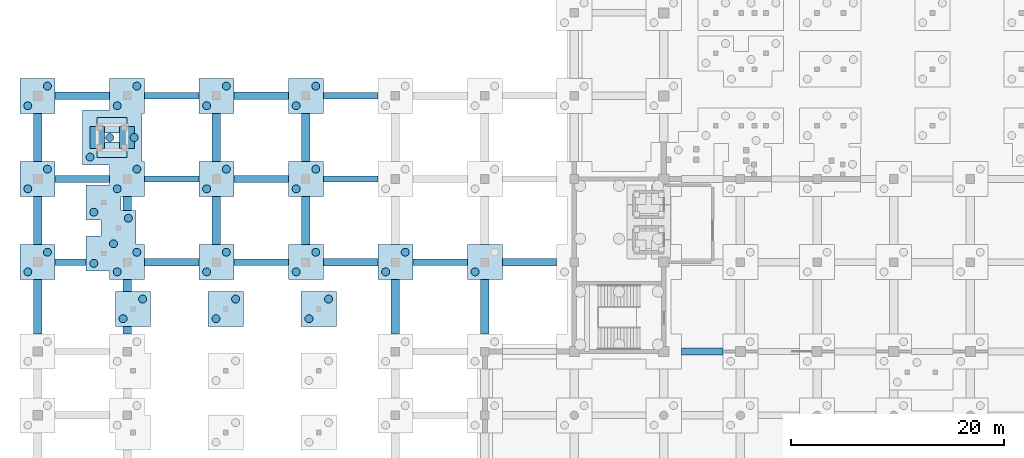
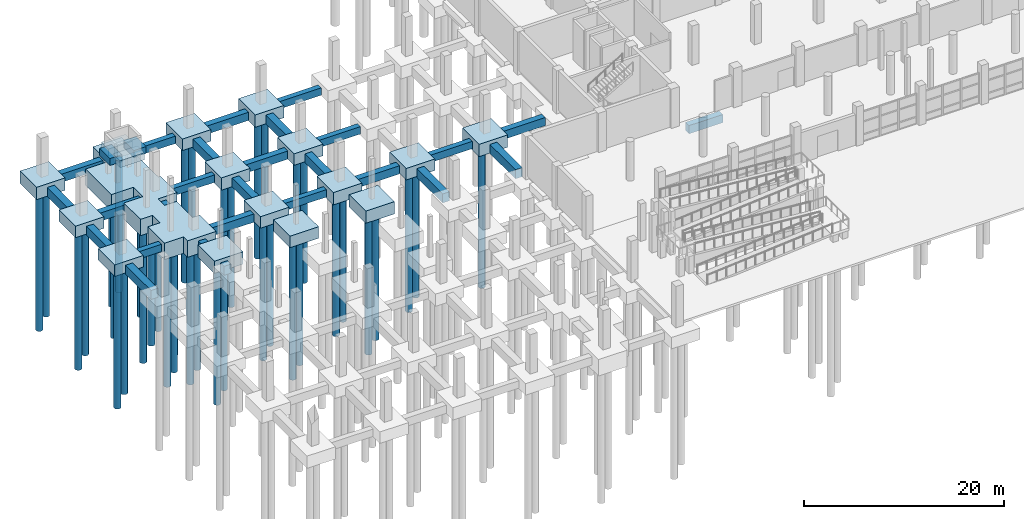
# One storey, part 3 of 42: 46 footings, 40 piles.
"""IFC4 building model written with IfcOpenShell, lengths in metres."""

from ifc_helpers import new_model, si_unit, direction, frame, origin, origin_2d, place, context, subcontext, project, spatial, polyline, rectangle, circle, outline, extrude, material, layer, layer_set, material_profile, profile_set, type_object, element, save


model = new_model("IFC4")

# Units and contexts
model_context = context("Model", 3, precision=1e-05, world=origin(), true_north=direction((0.0, 1.0)))
body_context = subcontext(model_context, "Body", "Model", "MODEL_VIEW")
ifc_project = project(units=[si_unit("LENGTHUNIT", "METRE"), si_unit("AREAUNIT", "SQUARE_METRE"), si_unit("VOLUMEUNIT", "CUBIC_METRE"), si_unit("PLANEANGLEUNIT", "RADIAN"), si_unit("MASSUNIT", "GRAM", prefix="KILO")], contexts=[model_context])

# Site, building, storey
site_placement = place(None, origin())
site = spatial("IfcSite", under=ifc_project, at=site_placement, CompositionType="ELEMENT")
building_placement = place(site_placement, origin())
building = spatial("IfcBuilding", under=site, at=building_placement, Name="Pellamere Symphony Hall", CompositionType="ELEMENT")
storey_placement = place(building_placement, frame((0.0, 0.0, -4.800048828125)))
storey = spatial("IfcBuildingStorey", under=building, at=storey_placement, Name="B1", CompositionType="ELEMENT", Elevation=-4.800048828125)

# Piles
ifc_material_1 = material(Name="Concrete 35 MPa", Category="concrete")
ifc_material_profile_1 = material_profile(ifc_material_1, circle(Radius=0.375, at=origin_2d()), Name="PILE D750")
ifc_profile_set_1 = profile_set([ifc_material_profile_1], Name="Concrete 35 MPa")
pile_type = type_object("IfcPileType", Name="Bored Pile 750mm Concrete 35 MPa", PredefinedType="BORED", material=ifc_profile_set_1)
for number, where, z_axis, x_axis, name in (
    (1, (8.030029296875, 33.080078125, -1.39990234375), (0.0, 0.0, -1.0), (1.0, 0.0, 0.0), "Bored Pile BP-750-P206"),
    (2, (9.8701171875, 34.919921875, -1.39990234375), (0.0, 0.0, -1.0), (1.0, 0.0, 0.0), "Bored Pile BP-750-P207"),
):
    element("IfcPile", number, at=place(storey_placement, frame(where, z_axis=z_axis, x_axis=x_axis)), inside=storey, type_object=pile_type, Name=name, PredefinedType="BORED", context=body_context, shape_type="SweptSolid", body=[
        extrude(circle(Radius=0.375, at=origin_2d()), origin(), (0.0, 0.0, 1.0), 16.60009765625),
    ])
for number, where, z_axis, x_axis, name in (
    (3, (16.7548828125, 33.080078125, -1.300048828125), (0.0, 0.0, -1.0), (1.0, 0.0, 0.0), "Bored Pile BP-750-P208"),
    (4, (18.594970703125, 34.919921875, -1.300048828125), (0.0, 0.0, -1.0), (1.0, 0.0, 0.0), "Bored Pile BP-750-P209"),
):
    element("IfcPile", number, at=place(storey_placement, frame(where, z_axis=z_axis, x_axis=x_axis)), inside=storey, type_object=pile_type, Name=name, PredefinedType="BORED", context=body_context, shape_type="SweptSolid", body=[
        extrude(circle(Radius=0.375, at=origin_2d()), origin(), (0.0, 0.0, 1.0), 16.699951171875),
    ])
for number, where, z_axis, x_axis, name in (
    (5, (25.47998046875, 33.080078125, -1.39990234375), (0.0, 0.0, -1.0), (1.0, 0.0, 0.0), "Bored Pile BP-750-P210"),
    (6, (27.320068359375, 34.919921875, -1.39990234375), (0.0, 0.0, -1.0), (1.0, 0.0, 0.0), "Bored Pile BP-750-P211"),
):
    element("IfcPile", number, at=place(storey_placement, frame(where, z_axis=z_axis, x_axis=x_axis)), inside=storey, type_object=pile_type, Name=name, PredefinedType="BORED", context=body_context, shape_type="SweptSolid", body=[
        extrude(circle(Radius=0.375, at=origin_2d()), origin(), (0.0, 0.0, 1.0), 16.60009765625),
    ])
for number, where, z_axis, x_axis, name in (
    (7, (-0.919921875, 37.47998046875, -1.300048828125), (0.0, 0.0, -1.0), (1.0, 0.0, 0.0), "Bored Pile BP-750-P212"),
    (8, (0.919921875, 39.320068359375, -1.300048828125), (0.0, 0.0, -1.0), (1.0, 0.0, 0.0), "Bored Pile BP-750-P213"),
):
    element("IfcPile", number, at=place(storey_placement, frame(where, z_axis=z_axis, x_axis=x_axis)), inside=storey, type_object=pile_type, Name=name, PredefinedType="BORED", context=body_context, shape_type="SweptSolid", body=[
        extrude(circle(Radius=0.375, at=origin_2d()), origin(), (0.0, 0.0, 1.0), 16.699951171875),
    ])
for number, where, z_axis, x_axis, name in (
    (9, (7.47998046875, 37.47998046875, -1.89990234375), (0.0, 0.0, -1.0), (1.0, 0.0, 0.0), "Bored Pile BP-750-P214"),
    (10, (9.320068359375, 39.320068359375, -1.89990234375), (0.0, 0.0, -1.0), (1.0, 0.0, 0.0), "Bored Pile BP-750-P215"),
    (11, (7.47998046875, 45.280029296875, -1.89990234375), (0.0, 0.0, -1.0), (1.0, 0.0, 0.0), "Bored Pile BP-750-P216"),
    (12, (9.320068359375, 47.1201171875, -1.89990234375), (0.0, 0.0, -1.0), (1.0, 0.0, 0.0), "Bored Pile BP-750-P217"),
    (13, (7.47998046875, 53.080078125, -1.89990234375), (0.0, 0.0, -1.0), (1.0, 0.0, 0.0), "Bored Pile BP-750-P218"),
    (14, (9.320068359375, 54.919921875, -1.89990234375), (0.0, 0.0, -1.0), (1.0, 0.0, 0.0), "Bored Pile BP-750-P219"),
    (15, (5.280029296875, 38.280029296875, -1.89990234375), (0.0, 0.0, -1.0), (1.0, 0.0, 0.0), "Bored Pile BP-750-P220"),
    (16, (7.1201171875, 40.1201171875, -1.89990234375), (0.0, 0.0, -1.0), (1.0, 0.0, 0.0), "Bored Pile BP-750-P221"),
    (17, (5.280029296875, 43.080078125, -1.89990234375), (0.0, 0.0, -1.0), (1.0, 0.0, 0.0), "Bored Pile BP-750-P222"),
    (18, (8.52001953125, 42.52001953125, -1.89990234375), (0.0, 0.0, -1.0), (1.0, 0.0, 0.0), "Bored Pile BP-750-P223"),
    (19, (4.929931640625, 48.2548828125, -1.89990234375), (0.0, 0.0, -1.0), (1.0, 0.0, 0.0), "Bored Pile BP-750-P224"),
    (20, (6.77001953125, 50.094970703125, -1.89990234375), (0.0, 0.0, -1.0), (1.0, 0.0, 0.0), "Bored Pile BP-750-P225"),
    (21, (9.070068359375, 50.094970703125, -1.89990234375), (0.0, 0.0, -1.0), (1.0, 0.0, 0.0), "Bored Pile BP-750-P226"),
):
    element("IfcPile", number, at=place(storey_placement, frame(where, z_axis=z_axis, x_axis=x_axis)), inside=storey, type_object=pile_type, Name=name, PredefinedType="BORED", context=body_context, shape_type="SweptSolid", body=[
        extrude(circle(Radius=0.375, at=origin_2d()), origin(), (0.0, 0.0, 1.0), 16.10009765625),
    ])
for number, where, z_axis, x_axis, name in (
    (22, (15.8798828125, 37.47998046875, -1.300048828125), (0.0, 0.0, -1.0), (1.0, 0.0, 0.0), "Bored Pile BP-750-P227"),
    (23, (17.719970703125, 39.320068359375, -1.300048828125), (0.0, 0.0, -1.0), (1.0, 0.0, 0.0), "Bored Pile BP-750-P228"),
):
    element("IfcPile", number, at=place(storey_placement, frame(where, z_axis=z_axis, x_axis=x_axis)), inside=storey, type_object=pile_type, Name=name, PredefinedType="BORED", context=body_context, shape_type="SweptSolid", body=[
        extrude(circle(Radius=0.375, at=origin_2d()), origin(), (0.0, 0.0, 1.0), 16.699951171875),
    ])
for number, where, z_axis, x_axis, name in (
    (24, (24.280029296875, 37.47998046875, -1.39990234375), (0.0, 0.0, -1.0), (1.0, 0.0, 0.0), "Bored Pile BP-750-P229"),
    (25, (26.1201171875, 39.320068359375, -1.39990234375), (0.0, 0.0, -1.0), (1.0, 0.0, 0.0), "Bored Pile BP-750-P230"),
):
    element("IfcPile", number, at=place(storey_placement, frame(where, z_axis=z_axis, x_axis=x_axis)), inside=storey, type_object=pile_type, Name=name, PredefinedType="BORED", context=body_context, shape_type="SweptSolid", body=[
        extrude(circle(Radius=0.375, at=origin_2d()), origin(), (0.0, 0.0, 1.0), 16.60009765625),
    ])
for number, where, z_axis, x_axis, name in (
    (26, (32.679931640625, 37.47998046875, -1.300048828125), (0.0, 0.0, -1.0), (1.0, 0.0, 0.0), "Bored Pile BP-750-P231"),
    (27, (34.52001953125, 39.320068359375, -1.300048828125), (0.0, 0.0, -1.0), (1.0, 0.0, 0.0), "Bored Pile BP-750-P232"),
):
    element("IfcPile", number, at=place(storey_placement, frame(where, z_axis=z_axis, x_axis=x_axis)), inside=storey, type_object=pile_type, Name=name, PredefinedType="BORED", context=body_context, shape_type="SweptSolid", body=[
        extrude(circle(Radius=0.375, at=origin_2d()), origin(), (0.0, 0.0, 1.0), 16.699951171875),
    ])
pile_placement = place(storey_placement, frame((41.080078125, 37.47998046875, -1.39990234375), z_axis=(0.0, 0.0, -1.0), x_axis=(1.0, 0.0, 0.0)))
element("IfcPile", 28, at=pile_placement, inside=storey, type_object=pile_type, Name="Bored Pile BP-750-P233", PredefinedType="BORED", context=body_context, shape_type="SweptSolid", body=[
    extrude(circle(Radius=0.375, at=origin_2d()), origin(), (0.0, 0.0, 1.0), 16.60009765625),
])
for number, where, z_axis, x_axis, name in (
    (29, (-0.919921875, 45.280029296875, -1.300048828125), (0.0, 0.0, -1.0), (1.0, 0.0, 0.0), "Bored Pile BP-750-P279"),
    (30, (0.919921875, 47.1201171875, -1.300048828125), (0.0, 0.0, -1.0), (1.0, 0.0, 0.0), "Bored Pile BP-750-P280"),
):
    element("IfcPile", number, at=place(storey_placement, frame(where, z_axis=z_axis, x_axis=x_axis)), inside=storey, type_object=pile_type, Name=name, PredefinedType="BORED", context=body_context, shape_type="SweptSolid", body=[
        extrude(circle(Radius=0.375, at=origin_2d()), origin(), (0.0, 0.0, 1.0), 16.699951171875),
    ])
for number, where, z_axis, x_axis, name in (
    (31, (15.8798828125, 45.280029296875, -1.39990234375), (0.0, 0.0, -1.0), (1.0, 0.0, 0.0), "Bored Pile BP-750-P281"),
    (32, (17.719970703125, 47.1201171875, -1.39990234375), (0.0, 0.0, -1.0), (1.0, 0.0, 0.0), "Bored Pile BP-750-P282"),
):
    element("IfcPile", number, at=place(storey_placement, frame(where, z_axis=z_axis, x_axis=x_axis)), inside=storey, type_object=pile_type, Name=name, PredefinedType="BORED", context=body_context, shape_type="SweptSolid", body=[
        extrude(circle(Radius=0.375, at=origin_2d()), origin(), (0.0, 0.0, 1.0), 16.60009765625),
    ])
for number, where, z_axis, x_axis, name in (
    (33, (24.280029296875, 45.280029296875, -1.300048828125), (0.0, 0.0, -1.0), (1.0, 0.0, 0.0), "Bored Pile BP-750-P283"),
    (34, (26.1201171875, 47.1201171875, -1.300048828125), (0.0, 0.0, -1.0), (1.0, 0.0, 0.0), "Bored Pile BP-750-P284"),
):
    element("IfcPile", number, at=place(storey_placement, frame(where, z_axis=z_axis, x_axis=x_axis)), inside=storey, type_object=pile_type, Name=name, PredefinedType="BORED", context=body_context, shape_type="SweptSolid", body=[
        extrude(circle(Radius=0.375, at=origin_2d()), origin(), (0.0, 0.0, 1.0), 16.699951171875),
    ])
for number, where, z_axis, x_axis, name in (
    (35, (-0.919921875, 53.080078125, -1.39990234375), (0.0, 0.0, -1.0), (1.0, 0.0, 0.0), "Bored Pile BP-750-P319"),
    (36, (0.919921875, 54.919921875, -1.39990234375), (0.0, 0.0, -1.0), (1.0, 0.0, 0.0), "Bored Pile BP-750-P320"),
):
    element("IfcPile", number, at=place(storey_placement, frame(where, z_axis=z_axis, x_axis=x_axis)), inside=storey, type_object=pile_type, Name=name, PredefinedType="BORED", context=body_context, shape_type="SweptSolid", body=[
        extrude(circle(Radius=0.375, at=origin_2d()), origin(), (0.0, 0.0, 1.0), 16.60009765625),
    ])
for number, where, z_axis, x_axis, name in (
    (37, (15.8798828125, 53.080078125, -1.300048828125), (0.0, 0.0, -1.0), (1.0, 0.0, 0.0), "Bored Pile BP-750-P321"),
    (38, (17.719970703125, 54.919921875, -1.300048828125), (0.0, 0.0, -1.0), (1.0, 0.0, 0.0), "Bored Pile BP-750-P322"),
):
    element("IfcPile", number, at=place(storey_placement, frame(where, z_axis=z_axis, x_axis=x_axis)), inside=storey, type_object=pile_type, Name=name, PredefinedType="BORED", context=body_context, shape_type="SweptSolid", body=[
        extrude(circle(Radius=0.375, at=origin_2d()), origin(), (0.0, 0.0, 1.0), 16.699951171875),
    ])
for number, where, z_axis, x_axis, name in (
    (39, (24.280029296875, 53.080078125, -1.39990234375), (0.0, 0.0, -1.0), (1.0, 0.0, 0.0), "Bored Pile BP-750-P323"),
    (40, (26.1201171875, 54.919921875, -1.39990234375), (0.0, 0.0, -1.0), (1.0, 0.0, 0.0), "Bored Pile BP-750-P324"),
):
    element("IfcPile", number, at=place(storey_placement, frame(where, z_axis=z_axis, x_axis=x_axis)), inside=storey, type_object=pile_type, Name=name, PredefinedType="BORED", context=body_context, shape_type="SweptSolid", body=[
        extrude(circle(Radius=0.375, at=origin_2d()), origin(), (0.0, 0.0, 1.0), 16.60009765625),
    ])

# Footings
ifc_material_2 = material(Name="Concrete 40 MPa", Category="concrete")
ifc_material_profile_2 = material_profile(ifc_material_2, rectangle(XDim=0.60009765625, YDim=0.89990234375, at=origin_2d()), Name="RC 600x900")
ifc_profile_set_2 = profile_set([ifc_material_profile_2], Name="Concrete 40 MPa")
footing_type_1 = type_object("IfcFootingType", Name="Foundation FB-01 600x900", PredefinedType="FOOTING_BEAM", material=ifc_profile_set_2)
footing_1_placement = place(storey_placement, frame((1.652099609375, 38.39990234375, -0.89990234375), z_axis=(1.0, 0.0, 0.0), x_axis=(0.0, 1.0, 0.0)))
element("IfcFooting", 41, at=footing_1_placement, inside=storey, type_object=footing_type_1, Name="Foundation Beam FB-01-120", PredefinedType="FOOTING_BEAM", context=body_context, shape_type="SweptSolid", body=[
    extrude(rectangle(XDim=0.60009765625, YDim=0.89990234375, at=origin_2d()), origin(), (0.0, 0.0, 1.0), 2.89599609375),
])
footing_2_placement = place(storey_placement, frame((18.451904296875, 38.39990234375, -0.89990234375), z_axis=(1.0, 0.0, 0.0), x_axis=(0.0, 1.0, 0.0)))
element("IfcFooting", 42, at=footing_2_placement, inside=storey, type_object=footing_type_1, Name="Foundation Beam FB-01-122", PredefinedType="FOOTING_BEAM", context=body_context, shape_type="SweptSolid", body=[
    extrude(rectangle(XDim=0.60009765625, YDim=0.89990234375, at=origin_2d()), origin(), (0.0, 0.0, 1.0), 5.09619140625),
])
for number, where, z_axis, x_axis, name in (
    (43, (35.251953125, 38.39990234375, -0.89990234375), (1.0, 0.0, 0.0), (0.0, 1.0, 0.0), "Foundation Beam FB-01-124"),
    (44, (10.052001953125, 46.199951171875, -0.89990234375), (1.0, 0.0, 0.0), (0.0, 1.0, 0.0), "Foundation Beam FB-01-138"),
    (45, (26.85205078125, 46.199951171875, -0.89990234375), (1.0, 0.0, 0.0), (0.0, 1.0, 0.0), "Foundation Beam FB-01-140"),
    (46, (10.052001953125, 54.0, -0.89990234375), (1.0, 0.0, 0.0), (0.0, 1.0, 0.0), "Foundation Beam FB-01-156"),
    (47, (26.85205078125, 54.0, -0.89990234375), (1.0, 0.0, 0.0), (0.0, 1.0, 0.0), "Foundation Beam FB-01-158"),
):
    element("IfcFooting", number, at=place(storey_placement, frame(where, z_axis=z_axis, x_axis=x_axis)), inside=storey, type_object=footing_type_1, Name=name, PredefinedType="FOOTING_BEAM", context=body_context, shape_type="SweptSolid", body=[
        extrude(rectangle(XDim=0.60009765625, YDim=0.89990234375, at=origin_2d()), origin(), (0.0, 0.0, 1.0), 5.095947265625),
    ])
ifc_material_profile_3 = material_profile(ifc_material_2, rectangle(XDim=0.699951171875, YDim=1.0, at=origin_2d()), Name="RC 700x1000")
ifc_profile_set_3 = profile_set([ifc_material_profile_3], Name="Concrete 40 MPa")
footing_type_2 = type_object("IfcFootingType", Name="Foundation FB-02 700x1000", PredefinedType="FOOTING_BEAM", material=ifc_profile_set_3)
footing_3_placement = place(storey_placement, frame((60.451904296875, 30.0, -0.949951171875), z_axis=(1.0, 0.0, 0.0), x_axis=(0.0, 1.0, 0.0)))
element("IfcFooting", 48, at=footing_3_placement, inside=storey, type_object=footing_type_2, Name="Foundation Beam FB-02-107", PredefinedType="FOOTING_BEAM", context=body_context, shape_type="SweptSolid", body=[
    extrude(rectangle(XDim=0.699951171875, YDim=1.0, at=origin_2d()), origin(), (0.0, 0.0, 1.0), 3.89599609375),
])
for number, where, z_axis, x_axis, name in (
    (49, (10.052001953125, 38.39990234375, -0.949951171875), (1.0, 0.0, 0.0), (0.0, 1.0, 0.0), "Foundation Beam FB-02-121"),
    (50, (26.85205078125, 38.39990234375, -0.949951171875), (1.0, 0.0, 0.0), (0.0, 1.0, 0.0), "Foundation Beam FB-02-123"),
    (51, (43.652099609375, 38.39990234375, -0.949951171875), (1.0, 0.0, 0.0), (0.0, 1.0, 0.0), "Foundation Beam FB-02-125"),
    (52, (1.652099609375, 46.199951171875, -0.949951171875), (1.0, 0.0, 0.0), (0.0, 1.0, 0.0), "Foundation Beam FB-02-137"),
):
    element("IfcFooting", number, at=place(storey_placement, frame(where, z_axis=z_axis, x_axis=x_axis)), inside=storey, type_object=footing_type_2, Name=name, PredefinedType="FOOTING_BEAM", context=body_context, shape_type="SweptSolid", body=[
        extrude(rectangle(XDim=0.699951171875, YDim=1.0, at=origin_2d()), origin(), (0.0, 0.0, 1.0), 5.095947265625),
    ])
footing_4_placement = place(storey_placement, frame((18.451904296875, 46.199951171875, -0.949951171875), z_axis=(1.0, 0.0, 0.0), x_axis=(0.0, 1.0, 0.0)))
element("IfcFooting", 53, at=footing_4_placement, inside=storey, type_object=footing_type_2, Name="Foundation Beam FB-02-139", PredefinedType="FOOTING_BEAM", context=body_context, shape_type="SweptSolid", body=[
    extrude(rectangle(XDim=0.699951171875, YDim=1.0, at=origin_2d()), origin(), (0.0, 0.0, 1.0), 5.09619140625),
])
footing_5_placement = place(storey_placement, frame((1.652099609375, 54.0, -0.949951171875), z_axis=(1.0, 0.0, 0.0), x_axis=(0.0, 1.0, 0.0)))
element("IfcFooting", 54, at=footing_5_placement, inside=storey, type_object=footing_type_2, Name="Foundation Beam FB-02-155", PredefinedType="FOOTING_BEAM", context=body_context, shape_type="SweptSolid", body=[
    extrude(rectangle(XDim=0.699951171875, YDim=1.0, at=origin_2d()), origin(), (0.0, 0.0, 1.0), 5.095947265625),
])
footing_6_placement = place(storey_placement, frame((18.451904296875, 54.0, -0.949951171875), z_axis=(1.0, 0.0, 0.0), x_axis=(0.0, 1.0, 0.0)))
element("IfcFooting", 55, at=footing_6_placement, inside=storey, type_object=footing_type_2, Name="Foundation Beam FB-02-157", PredefinedType="FOOTING_BEAM", context=body_context, shape_type="SweptSolid", body=[
    extrude(rectangle(XDim=0.699951171875, YDim=1.0, at=origin_2d()), origin(), (0.0, 0.0, 1.0), 5.09619140625),
])
ifc_material_profile_4 = material_profile(ifc_material_2, rectangle(XDim=0.800048828125, YDim=1.10009765625, at=origin_2d()), Name="RC 800x1100")
ifc_profile_set_4 = profile_set([ifc_material_profile_4], Name="Concrete 40 MPa")
footing_type_3 = type_object("IfcFootingType", Name="Foundation FB-03 800x1100", PredefinedType="FOOTING_BEAM", material=ifc_profile_set_4)
footing_7_placement = place(storey_placement, frame((0.0, 31.652099609375, -1.0), z_axis=(0.0, 1.0, 0.0), x_axis=(-1.0, 0.0, 0.0)))
element("IfcFooting", 56, at=footing_7_placement, inside=storey, type_object=footing_type_3, Name="Foundation Beam FB-03-234", PredefinedType="FOOTING_BEAM", context=body_context, shape_type="SweptSolid", body=[
    extrude(rectangle(XDim=0.800048828125, YDim=1.10009765625, at=origin_2d()), origin(), (0.0, 0.0, 1.0), 5.095947265625),
])
footing_8_placement = place(storey_placement, frame((0.0, 40.052001953125, -1.0), z_axis=(0.0, 1.0, 0.0), x_axis=(-1.0, 0.0, 0.0)))
element("IfcFooting", 57, at=footing_8_placement, inside=storey, type_object=footing_type_3, Name="Foundation Beam FB-03-235", PredefinedType="FOOTING_BEAM", context=body_context, shape_type="SweptSolid", body=[
    extrude(rectangle(XDim=0.800048828125, YDim=1.10009765625, at=origin_2d()), origin(), (0.0, 0.0, 1.0), 4.49609375),
])
footing_9_placement = place(storey_placement, frame((0.0, 47.85205078125, -1.0), z_axis=(0.0, 1.0, 0.0), x_axis=(-1.0, 0.0, 0.0)))
element("IfcFooting", 58, at=footing_9_placement, inside=storey, type_object=footing_type_3, Name="Foundation Beam FB-03-236", PredefinedType="FOOTING_BEAM", context=body_context, shape_type="SweptSolid", body=[
    extrude(rectangle(XDim=0.800048828125, YDim=1.10009765625, at=origin_2d()), origin(), (0.0, 0.0, 1.0), 4.495849609375),
])
footing_10_placement = place(storey_placement, frame((8.39990234375, 31.652099609375, -1.0), z_axis=(0.0, 1.0, 0.0), x_axis=(-1.0, 0.0, 0.0)))
element("IfcFooting", 59, at=footing_10_placement, inside=storey, type_object=footing_type_3, Name="Foundation Beam FB-03-241", PredefinedType="FOOTING_BEAM", context=body_context, shape_type="SweptSolid", body=[
    extrude(rectangle(XDim=0.800048828125, YDim=1.10009765625, at=origin_2d()), origin(), (0.0, 0.0, 1.0), 0.69580078125),
])
footing_11_placement = place(storey_placement, frame((8.39990234375, 35.652099609375, -1.0), z_axis=(0.0, 1.0, 0.0), x_axis=(-1.0, 0.0, 0.0)))
element("IfcFooting", 60, at=footing_11_placement, inside=storey, type_object=footing_type_3, Name="Foundation Beam FB-03-242", PredefinedType="FOOTING_BEAM", context=body_context, shape_type="SweptSolid", body=[
    extrude(rectangle(XDim=0.800048828125, YDim=1.10009765625, at=origin_2d()), origin(), (0.0, 0.0, 1.0), 1.095947265625),
])
footing_12_placement = place(storey_placement, frame((8.39990234375, 43.251953125, -1.0), z_axis=(0.0, 1.0, 0.0), x_axis=(-1.0, 0.0, 0.0)))
element("IfcFooting", 61, at=footing_12_placement, inside=storey, type_object=footing_type_3, Name="Foundation Beam FB-03-243", PredefinedType="FOOTING_BEAM", context=body_context, shape_type="SweptSolid", body=[
    extrude(rectangle(XDim=0.800048828125, YDim=1.10009765625, at=origin_2d()), origin(), (0.0, 0.0, 1.0), 1.296142578125),
])
footing_13_placement = place(storey_placement, frame((16.800048828125, 40.052001953125, -1.0), z_axis=(0.0, 1.0, 0.0), x_axis=(-1.0, 0.0, 0.0)))
element("IfcFooting", 62, at=footing_13_placement, inside=storey, type_object=footing_type_3, Name="Foundation Beam FB-03-246", PredefinedType="FOOTING_BEAM", context=body_context, shape_type="SweptSolid", body=[
    extrude(rectangle(XDim=0.800048828125, YDim=1.10009765625, at=origin_2d()), origin(), (0.0, 0.0, 1.0), 4.49609375),
])
footing_14_placement = place(storey_placement, frame((16.800048828125, 47.85205078125, -1.0), z_axis=(0.0, 1.0, 0.0), x_axis=(-1.0, 0.0, 0.0)))
element("IfcFooting", 63, at=footing_14_placement, inside=storey, type_object=footing_type_3, Name="Foundation Beam FB-03-247", PredefinedType="FOOTING_BEAM", context=body_context, shape_type="SweptSolid", body=[
    extrude(rectangle(XDim=0.800048828125, YDim=1.10009765625, at=origin_2d()), origin(), (0.0, 0.0, 1.0), 4.495849609375),
])
footing_15_placement = place(storey_placement, frame((25.199951171875, 40.052001953125, -1.0), z_axis=(0.0, 1.0, 0.0), x_axis=(-1.0, 0.0, 0.0)))
element("IfcFooting", 64, at=footing_15_placement, inside=storey, type_object=footing_type_3, Name="Foundation Beam FB-03-250", PredefinedType="FOOTING_BEAM", context=body_context, shape_type="SweptSolid", body=[
    extrude(rectangle(XDim=0.800048828125, YDim=1.10009765625, at=origin_2d()), origin(), (0.0, 0.0, 1.0), 4.49609375),
])
footing_16_placement = place(storey_placement, frame((25.199951171875, 47.85205078125, -1.0), z_axis=(0.0, 1.0, 0.0), x_axis=(-1.0, 0.0, 0.0)))
element("IfcFooting", 65, at=footing_16_placement, inside=storey, type_object=footing_type_3, Name="Foundation Beam FB-03-251", PredefinedType="FOOTING_BEAM", context=body_context, shape_type="SweptSolid", body=[
    extrude(rectangle(XDim=0.800048828125, YDim=1.10009765625, at=origin_2d()), origin(), (0.0, 0.0, 1.0), 4.495849609375),
])
for number, where, z_axis, x_axis, name in (
    (66, (33.60009765625, 31.652099609375, -1.0), (0.0, 1.0, 0.0), (-1.0, 0.0, 0.0), "Foundation Beam FB-03-256"),
    (67, (42.0, 31.652099609375, -1.0), (0.0, 1.0, 0.0), (-1.0, 0.0, 0.0), "Foundation Beam FB-03-263"),
):
    element("IfcFooting", number, at=place(storey_placement, frame(where, z_axis=z_axis, x_axis=x_axis)), inside=storey, type_object=footing_type_3, Name=name, PredefinedType="FOOTING_BEAM", context=body_context, shape_type="SweptSolid", body=[
        extrude(rectangle(XDim=0.800048828125, YDim=1.10009765625, at=origin_2d()), origin(), (0.0, 0.0, 1.0), 5.095947265625),
    ])
ifc_material_profile_5 = material_profile(ifc_material_2, rectangle(XDim=1.39990234375, YDim=0.85009765625, at=origin_2d()), Name="RC 1400x850")
ifc_profile_set_5 = profile_set([ifc_material_profile_5], Name="Concrete 40 MPa")
footing_type_4 = type_object("IfcFootingType", Name="Foundation SF-02 1400x850", PredefinedType="STRIP_FOOTING", material=ifc_profile_set_5)
for number, where, z_axis, x_axis, name in (
    (68, (5.60009765625, 48.925048828125, 2.775146484375), (1.0, 0.0, 0.0), (0.0, 1.0, 0.0), "Foundation Beam SF-02-051"),
    (69, (5.60009765625, 51.27490234375, 2.775146484375), (1.0, 0.0, 0.0), (0.0, 1.0, 0.0), "Foundation Beam SF-02-052"),
):
    element("IfcFooting", number, at=place(storey_placement, frame(where, z_axis=z_axis, x_axis=x_axis)), inside=storey, type_object=footing_type_4, Name=name, PredefinedType="STRIP_FOOTING", context=body_context, shape_type="SweptSolid", body=[
        extrude(rectangle(XDim=1.39990234375, YDim=0.85009765625, at=origin_2d()), origin(), (0.0, 0.0, 1.0), 2.7998046875),
    ])
for number, where, z_axis, x_axis, name in (
    (70, (5.60009765625, 49.074951171875, 2.775146484375), (0.0, 1.0, 0.0), (-1.0, 0.0, 0.0), "Foundation Beam SF-02-053"),
    (71, (8.39990234375, 49.074951171875, 2.775146484375), (0.0, 1.0, 0.0), (-1.0, 0.0, 0.0), "Foundation Beam SF-02-054"),
):
    element("IfcFooting", number, at=place(storey_placement, frame(where, z_axis=z_axis, x_axis=x_axis)), inside=storey, type_object=footing_type_4, Name=name, PredefinedType="STRIP_FOOTING", context=body_context, shape_type="SweptSolid", body=[
        extrude(rectangle(XDim=1.39990234375, YDim=0.85009765625, at=origin_2d()), origin(), (0.0, 0.0, 1.0), 2.050048828125),
    ])
ifc_layer_1 = layer(ifc_material_2, 1.39990234375, Name="Concrete 40 MPa")
ifc_layer_set_1 = layer_set([ifc_layer_1], Name="Concrete 40 MPa")
footing_type_5 = type_object("IfcFootingType", Name="Pile Cap PC-02 3300x3300x1400", PredefinedType="PILE_CAP", material=ifc_layer_set_1)
footing_17_placement = place(storey_placement, frame((0.0, 0.0, -1.39990234375)))
element("IfcFooting", 72, at=footing_17_placement, inside=storey, type_object=footing_type_5, Name="Pile Cap PC-02-084", PredefinedType="PILE_CAP", context=body_context, shape_type="SweptSolid", body=[
    extrude(outline(polyline([(16.02490234375, 32.35009765625), (16.02490234375, 35.64990234375), (19.324951171875, 35.64990234375), (19.324951171875, 32.35009765625), (16.02490234375, 32.35009765625)])), origin(), (0.0, 0.0, 1.0), 1.39990234375),
])
footing_18_placement = place(storey_placement, frame((0.0, 0.0, -1.39990234375)))
element("IfcFooting", 73, at=footing_18_placement, inside=storey, type_object=footing_type_5, Name="Pile Cap PC-02-086", PredefinedType="PILE_CAP", context=body_context, shape_type="SweptSolid", body=[
    extrude(outline(polyline([(-1.64990234375, 36.75), (-1.64990234375, 40.050048828125), (1.64990234375, 40.050048828125), (1.64990234375, 36.75), (-1.64990234375, 36.75)])), origin(), (0.0, 0.0, 1.0), 1.39990234375),
])
footing_19_placement = place(storey_placement, frame((0.0, 0.0, -1.39990234375)))
element("IfcFooting", 74, at=footing_19_placement, inside=storey, type_object=footing_type_5, Name="Pile Cap PC-02-088", PredefinedType="PILE_CAP", context=body_context, shape_type="SweptSolid", body=[
    extrude(outline(polyline([(15.14990234375, 36.75), (15.14990234375, 40.050048828125), (18.449951171875, 40.050048828125), (18.449951171875, 36.75), (15.14990234375, 36.75)])), origin(), (0.0, 0.0, 1.0), 1.39990234375),
])
footing_20_placement = place(storey_placement, frame((0.0, 0.0, -1.39990234375)))
element("IfcFooting", 75, at=footing_20_placement, inside=storey, type_object=footing_type_5, Name="Pile Cap PC-02-090", PredefinedType="PILE_CAP", context=body_context, shape_type="SweptSolid", body=[
    extrude(outline(polyline([(31.949951171875, 36.75), (31.949951171875, 40.050048828125), (35.25, 40.050048828125), (35.25, 36.75), (31.949951171875, 36.75)])), origin(), (0.0, 0.0, 1.0), 1.39990234375),
])
footing_21_placement = place(storey_placement, frame((0.0, 0.0, -1.39990234375)))
element("IfcFooting", 76, at=footing_21_placement, inside=storey, type_object=footing_type_5, Name="Pile Cap PC-02-102", PredefinedType="PILE_CAP", context=body_context, shape_type="SweptSolid", body=[
    extrude(outline(polyline([(1.64990234375, 44.550048828125), (-1.64990234375, 44.550048828125), (-1.64990234375, 47.85009765625), (1.64990234375, 47.85009765625), (1.64990234375, 44.550048828125)])), origin(), (0.0, 0.0, 1.0), 1.39990234375),
])
footing_22_placement = place(storey_placement, frame((0.0, 0.0, -1.39990234375)))
element("IfcFooting", 77, at=footing_22_placement, inside=storey, type_object=footing_type_5, Name="Pile Cap PC-02-104", PredefinedType="PILE_CAP", context=body_context, shape_type="SweptSolid", body=[
    extrude(outline(polyline([(23.550048828125, 44.550048828125), (23.550048828125, 47.85009765625), (26.85009765625, 47.85009765625), (26.85009765625, 44.550048828125), (23.550048828125, 44.550048828125)])), origin(), (0.0, 0.0, 1.0), 1.39990234375),
])
footing_23_placement = place(storey_placement, frame((0.0, 0.0, -1.39990234375)))
element("IfcFooting", 78, at=footing_23_placement, inside=storey, type_object=footing_type_5, Name="Pile Cap PC-02-118", PredefinedType="PILE_CAP", context=body_context, shape_type="SweptSolid", body=[
    extrude(outline(polyline([(15.14990234375, 52.35009765625), (15.14990234375, 55.64990234375), (18.449951171875, 55.64990234375), (18.449951171875, 52.35009765625), (15.14990234375, 52.35009765625)])), origin(), (0.0, 0.0, 1.0), 1.39990234375),
])
ifc_layer_2 = layer(ifc_material_2, 1.5, Name="Concrete 40 MPa")
ifc_layer_set_2 = layer_set([ifc_layer_2], Name="Concrete 40 MPa")
footing_type_6 = type_object("IfcFootingType", Name="Pile Cap PC-03 3300x3300x1500", PredefinedType="PILE_CAP", material=ifc_layer_set_2)
footing_24_placement = place(storey_placement, frame((0.0, 0.0, -1.5)))
element("IfcFooting", 79, at=footing_24_placement, inside=storey, type_object=footing_type_6, Name="Pile Cap PC-03-083", PredefinedType="PILE_CAP", context=body_context, shape_type="SweptSolid", body=[
    extrude(outline(polyline([(10.60009765625, 32.35009765625), (7.300048828125, 32.35009765625), (7.300048828125, 35.64990234375), (10.60009765625, 35.64990234375), (10.60009765625, 32.35009765625)])), origin(), (0.0, 0.0, 1.0), 1.5),
])
footing_25_placement = place(storey_placement, frame((0.0, 0.0, -1.5)))
element("IfcFooting", 80, at=footing_25_placement, inside=storey, type_object=footing_type_6, Name="Pile Cap PC-03-085", PredefinedType="PILE_CAP", context=body_context, shape_type="SweptSolid", body=[
    extrude(outline(polyline([(24.75, 32.35009765625), (24.75, 35.64990234375), (28.050048828125, 35.64990234375), (28.050048828125, 32.35009765625), (24.75, 32.35009765625)])), origin(), (0.0, 0.0, 1.0), 1.5),
])
footing_26_placement = place(storey_placement, frame((0.0, 0.0, -1.5)))
element("IfcFooting", 81, at=footing_26_placement, inside=storey, type_object=footing_type_6, Name="Pile Cap PC-03-089", PredefinedType="PILE_CAP", context=body_context, shape_type="SweptSolid", body=[
    extrude(outline(polyline([(26.85009765625, 36.75), (23.550048828125, 36.75), (23.550048828125, 40.050048828125), (26.85009765625, 40.050048828125), (26.85009765625, 36.75)])), origin(), (0.0, 0.0, 1.0), 1.5),
])
footing_27_placement = place(storey_placement, frame((0.0, 0.0, -1.5)))
element("IfcFooting", 82, at=footing_27_placement, inside=storey, type_object=footing_type_6, Name="Pile Cap PC-03-091", PredefinedType="PILE_CAP", context=body_context, shape_type="SweptSolid", body=[
    extrude(outline(polyline([(40.35009765625, 36.75), (40.35009765625, 40.050048828125), (43.64990234375, 40.050048828125), (43.64990234375, 36.75), (40.35009765625, 36.75)])), origin(), (0.0, 0.0, 1.0), 1.5),
])
footing_28_placement = place(storey_placement, frame((0.0, 0.0, -1.5)))
element("IfcFooting", 83, at=footing_28_placement, inside=storey, type_object=footing_type_6, Name="Pile Cap PC-03-103", PredefinedType="PILE_CAP", context=body_context, shape_type="SweptSolid", body=[
    extrude(outline(polyline([(18.449951171875, 44.550048828125), (15.14990234375, 44.550048828125), (15.14990234375, 47.85009765625), (18.449951171875, 47.85009765625), (18.449951171875, 44.550048828125)])), origin(), (0.0, 0.0, 1.0), 1.5),
])
footing_29_placement = place(storey_placement, frame((0.0, 0.0, -1.5)))
element("IfcFooting", 84, at=footing_29_placement, inside=storey, type_object=footing_type_6, Name="Pile Cap PC-03-117", PredefinedType="PILE_CAP", context=body_context, shape_type="SweptSolid", body=[
    extrude(outline(polyline([(-1.64990234375, 52.35009765625), (-1.64990234375, 55.64990234375), (1.64990234375, 55.64990234375), (1.64990234375, 52.35009765625), (-1.64990234375, 52.35009765625)])), origin(), (0.0, 0.0, 1.0), 1.5),
])
footing_30_placement = place(storey_placement, frame((0.0, 0.0, -1.5)))
element("IfcFooting", 85, at=footing_30_placement, inside=storey, type_object=footing_type_6, Name="Pile Cap PC-03-119", PredefinedType="PILE_CAP", context=body_context, shape_type="SweptSolid", body=[
    extrude(outline(polyline([(26.85009765625, 52.35009765625), (23.550048828125, 52.35009765625), (23.550048828125, 55.64990234375), (26.85009765625, 55.64990234375), (26.85009765625, 52.35009765625)])), origin(), (0.0, 0.0, 1.0), 1.5),
])
ifc_material_3 = material(Name="Concrete 50 MPa", Category="concrete")
ifc_layer_3 = layer(ifc_material_3, 2.0, Name="Concrete 50 MPa")
ifc_layer_set_3 = layer_set([ifc_layer_3], Name="Concrete 50 MPa")
footing_type_7 = type_object("IfcFootingType", Name="Pile Cap PC-10 5500x12300x2000", PredefinedType="PILE_CAP", material=ifc_layer_set_3)
footing_31_placement = place(storey_placement, frame((0.0, 0.0, -2.0)))
element("IfcFooting", 86, at=footing_31_placement, inside=storey, type_object=footing_type_7, Name="Pile Cap PC-10-087", PredefinedType="PILE_CAP", context=body_context, shape_type="SweptSolid", body=[
    extrude(outline(polyline([(4.550048828125, 40.85009765625), (5.949951171875, 40.85009765625), (5.949951171875, 42.35009765625), (4.550048828125, 42.35009765625), (4.550048828125, 45.64990234375), (6.75, 45.64990234375), (6.75, 47.52490234375), (4.199951171875, 47.52490234375), (4.199951171875, 52.675048828125), (6.75, 52.675048828125), (6.75, 55.64990234375), (10.050048828125, 55.64990234375), (10.050048828125, 52.35009765625), (9.800048828125, 52.35009765625), (9.800048828125, 47.85009765625), (10.050048828125, 47.85009765625), (10.050048828125, 44.550048828125), (7.85009765625, 44.550048828125), (7.85009765625, 43.25), (9.25, 43.25), (9.25, 40.050048828125), (10.050048828125, 40.050048828125), (10.050048828125, 36.75), (6.75, 36.75), (6.75, 37.550048828125), (4.550048828125, 37.550048828125), (4.550048828125, 40.85009765625)])), origin(), (0.0, 0.0, 1.0), 2.0),
])

save(model, "model.ifc")
